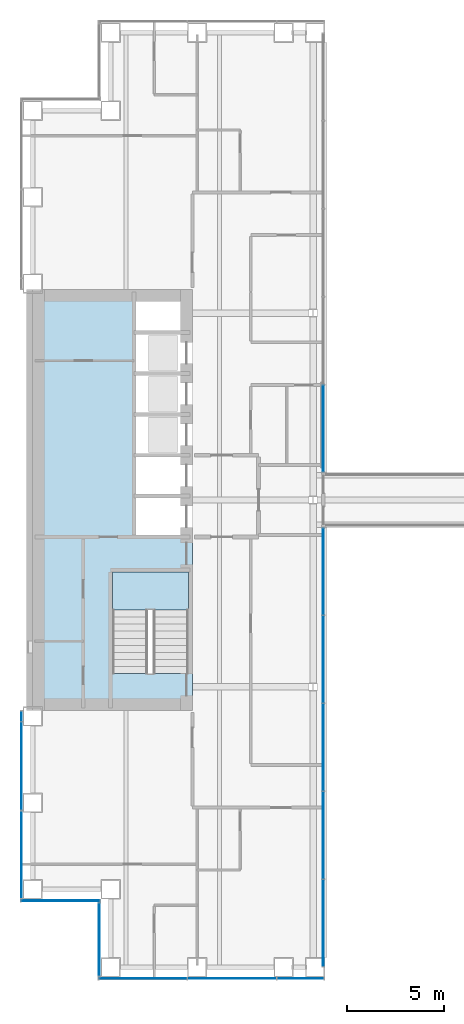
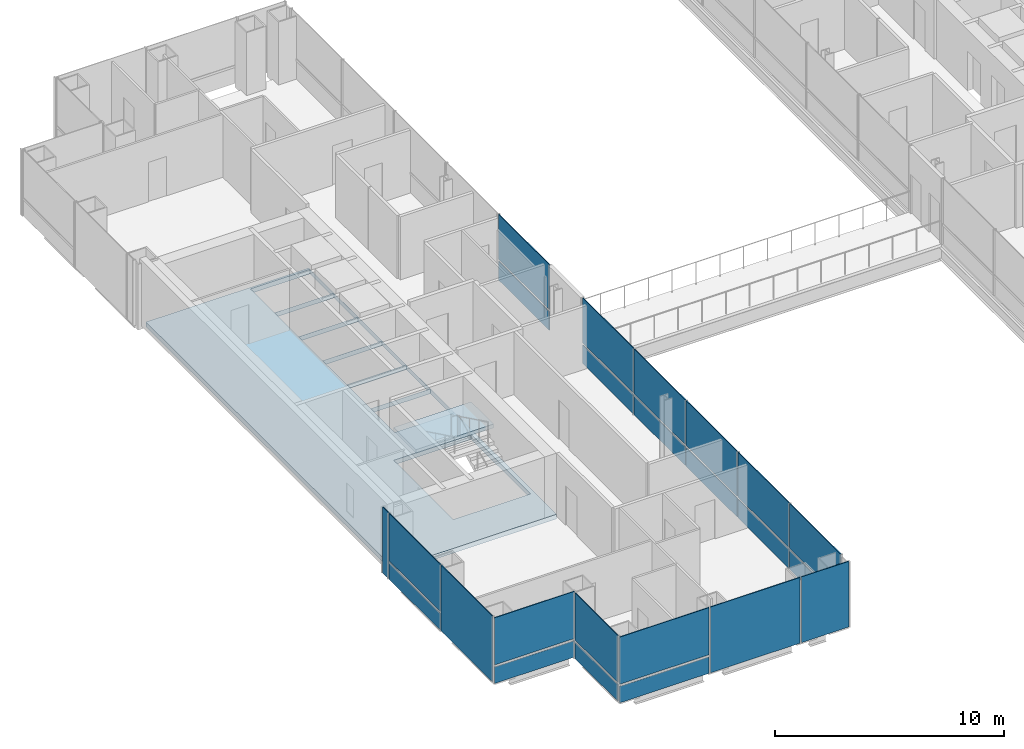
# One storey, part 8 of 18: 24 plates, 2 slabs, 7 elements without a shape of their own.
"""IFC4 building model written with IfcOpenShell, lengths in metres."""

from ifc_helpers import new_model, si_unit, direction, frame, origin, origin_2d, place, context, subcontext, project, spatial, polyline, rectangle, outline, extrude, material, layer, layer_set, type_object, element, aggregate, save


model = new_model("IFC4")

# Units and contexts
model_context = context("Model", 3, precision=1e-05, world=origin(), true_north=direction((0.0, 1.0)))
body_context = subcontext(model_context, "Body", "Model", "MODEL_VIEW")
ifc_project = project(units=[si_unit("LENGTHUNIT", "METRE"), si_unit("AREAUNIT", "SQUARE_METRE"), si_unit("VOLUMEUNIT", "CUBIC_METRE"), si_unit("PLANEANGLEUNIT", "RADIAN"), si_unit("MASSUNIT", "GRAM", prefix="KILO")], contexts=[model_context])

# Site, building, storey
site_placement = place(None, origin())
site = spatial("IfcSite", under=ifc_project, at=site_placement, CompositionType="ELEMENT")
building_placement = place(site_placement, origin())
building = spatial("IfcBuilding", under=site, at=building_placement, Name="Cobrizo Arcos Hotel Tower", CompositionType="ELEMENT")
storey_placement = place(building_placement, frame((0.0, 0.0, 77.5)))
storey = spatial("IfcBuildingStorey", under=building, at=storey_placement, Name="L18", CompositionType="ELEMENT", Elevation=77.5)

# Curtain wall, plate
ifc_material_1 = material(Name="Aluminium 6063-T6 anodised bronze", Category="aluminium")
curtain_wall_type_1 = type_object("IfcCurtainWallType", Name="CW-A guest facade", PredefinedType="NOTDEFINED", material=ifc_material_1)
curtain_wall_1_placement = place(storey_placement, origin())
curtain_wall_1 = element("IfcCurtainWall", 1, at=curtain_wall_1_placement, inside=storey, type_object=curtain_wall_type_1, Name="CW-A L18 S face", PredefinedType="NOTDEFINED")
ifc_material_2 = material(Name="Glass clear laminated low-e", Category="glass")
ifc_layer_1 = layer(ifc_material_2, 0.0400390625)
ifc_layer_set_1 = layer_set([ifc_layer_1], Name="CW-A glass panel")
plate_type_1 = type_object("IfcPlateType", Name="CW-A glass panel", PredefinedType="CURTAIN_PANEL", material=ifc_layer_set_1)
plate_1_placement = place(storey_placement, frame((-18.340576171875, -24.574951171875, 0.990234375), z_axis=(0.0, 0.0, 1.0), x_axis=(1.0, 0.0, 0.0)))
plate_1 = element("IfcPlate", 2, at=plate_1_placement, type_object=plate_type_1, Name="CW-A glass panel 749", PredefinedType="CURTAIN_PANEL", context=body_context, shape_type="SweptSolid", body=[
    extrude(rectangle(XDim=4.498779296875, YDim=0.0400390625, at=origin_2d()), origin(), (0.0, 0.0, 1.0), 2.510009765625),
])

curtain_wall_2_placement = place(storey_placement, origin())
curtain_wall_2 = element("IfcCurtainWall", 3, at=curtain_wall_2_placement, inside=storey, type_object=curtain_wall_type_1, Name="CW-A L18 W face", PredefinedType="NOTDEFINED")
plate_2_placement = place(storey_placement, frame((-24.574951171875, -13.666748046875, 0.990234375), z_axis=(0.0, 0.0, 1.0), x_axis=(0.0, -1.0, 0.0)))
plate_2 = element("IfcPlate", 4, at=plate_2_placement, type_object=plate_type_1, Name="CW-A glass panel 777", PredefinedType="CURTAIN_PANEL", context=body_context, shape_type="SweptSolid", body=[
    extrude(rectangle(XDim=4.49560546875, YDim=0.0400390625, at=origin_2d()), origin(), (0.0, 0.0, 1.0), 2.510009765625),
])

curtain_wall_3_placement = place(storey_placement, origin())
curtain_wall_3 = element("IfcCurtainWall", 5, at=curtain_wall_3_placement, inside=storey, type_object=curtain_wall_type_1, Name="CW-A L18 S face", PredefinedType="NOTDEFINED")
plate_3_placement = place(storey_placement, frame((-22.574951171875, -20.574951171875, 0.990234375), z_axis=(0.0, 0.0, 1.0), x_axis=(1.0, 0.0, 0.0)))
plate_3 = element("IfcPlate", 6, at=plate_3_placement, type_object=plate_type_1, Name="CW-A glass panel 779", PredefinedType="CURTAIN_PANEL", context=body_context, shape_type="SweptSolid", body=[
    extrude(rectangle(XDim=4.030029296875, YDim=0.0400390625, at=origin_2d()), origin(), (0.0, 0.0, 1.0), 2.510009765625),
])

curtain_wall_4_placement = place(storey_placement, origin())
curtain_wall_4 = element("IfcCurtainWall", 7, at=curtain_wall_4_placement, inside=storey, type_object=curtain_wall_type_1, Name="CW-A L18 W face", PredefinedType="NOTDEFINED")
plate_4_placement = place(storey_placement, frame((-20.574951171875, -22.574951171875, 0.990234375), z_axis=(0.0, 0.0, 1.0), x_axis=(0.0, -1.0, 0.0)))
plate_4 = element("IfcPlate", 8, at=plate_4_placement, type_object=plate_type_1, Name="CW-A glass panel 780", PredefinedType="CURTAIN_PANEL", context=body_context, shape_type="SweptSolid", body=[
    extrude(rectangle(XDim=3.72998046875, YDim=0.0400390625, at=origin_2d()), origin(), (0.0, 0.0, 1.0), 2.510009765625),
])

# Plate
ifc_material_3 = material(Name="Aluminium composite panel pale metal", Category="aluminium")
ifc_layer_2 = layer(ifc_material_3, 0.0400390625)
ifc_layer_set_2 = layer_set([ifc_layer_2], Name="CW-A spandrel panel")
plate_type_2 = type_object("IfcPlateType", Name="CW-A spandrel panel", PredefinedType="CURTAIN_PANEL", material=ifc_layer_set_2)
plate_5_placement = place(storey_placement, frame((-18.340576171875, -24.574951171875, 0.0), z_axis=(0.0, 0.0, 1.0), x_axis=(1.0, 0.0, 0.0)))
plate_5 = element("IfcPlate", 9, at=plate_5_placement, type_object=plate_type_2, Name="CW-A spandrel panel 749", PredefinedType="CURTAIN_PANEL", context=body_context, shape_type="SweptSolid", body=[
    extrude(rectangle(XDim=4.498779296875, YDim=0.0400390625, at=origin_2d()), origin(), (0.0, 0.0, 1.0), 0.8701171875),
])

plate_6_placement = place(storey_placement, frame((-13.7666015625, -24.574951171875, 0.0), z_axis=(0.0, 0.0, 1.0), x_axis=(1.0, 0.0, 0.0)))
plate_6 = element("IfcPlate", 10, at=plate_6_placement, type_object=plate_type_2, Name="CW-A spandrel panel 750", PredefinedType="CURTAIN_PANEL", context=body_context, shape_type="SweptSolid", body=[
    extrude(rectangle(XDim=4.52880859375, YDim=0.0400390625, at=origin_2d()), origin(), (0.0, 0.0, 1.0), 3.5),
])

plate_7_placement = place(storey_placement, frame((-10.251220703125, -24.574951171875, 0.0), z_axis=(0.0, 0.0, 1.0), x_axis=(1.0, 0.0, 0.0)))
plate_7 = element("IfcPlate", 11, at=plate_7_placement, type_object=plate_type_2, Name="CW-A spandrel panel 751", PredefinedType="CURTAIN_PANEL", context=body_context, shape_type="SweptSolid", body=[
    extrude(rectangle(XDim=2.38232421875, YDim=0.0400390625, at=origin_2d()), origin(), (0.0, 0.0, 1.0), 3.5),
])

aggregate(curtain_wall_1, [plate_5, plate_1, plate_6, plate_7])

plate_8_placement = place(storey_placement, frame((-24.574951171875, -11.109375, 0.0), z_axis=(0.0, 0.0, 1.0), x_axis=(0.0, -1.0, 0.0)))
plate_8 = element("IfcPlate", 12, at=plate_8_placement, type_object=plate_type_2, Name="CW-A spandrel panel 776", PredefinedType="CURTAIN_PANEL", context=body_context, shape_type="SweptSolid", body=[
    extrude(rectangle(XDim=0.498779296875, YDim=0.0400390625, at=origin_2d()), origin(), (0.0, 0.0, 1.0), 3.5),
])

plate_9_placement = place(storey_placement, frame((-24.574951171875, -13.666748046875, 0.0), z_axis=(0.0, 0.0, 1.0), x_axis=(0.0, -1.0, 0.0)))
plate_9 = element("IfcPlate", 13, at=plate_9_placement, type_object=plate_type_2, Name="CW-A spandrel panel 777", PredefinedType="CURTAIN_PANEL", context=body_context, shape_type="SweptSolid", body=[
    extrude(rectangle(XDim=4.49560546875, YDim=0.0400390625, at=origin_2d()), origin(), (0.0, 0.0, 1.0), 0.8701171875),
])

plate_10_placement = place(storey_placement, frame((-24.574951171875, -18.207275390625, 0.0), z_axis=(0.0, 0.0, 1.0), x_axis=(0.0, -1.0, 0.0)))
plate_10 = element("IfcPlate", 14, at=plate_10_placement, type_object=plate_type_2, Name="CW-A spandrel panel 778", PredefinedType="CURTAIN_PANEL", context=body_context, shape_type="SweptSolid", body=[
    extrude(rectangle(XDim=4.465576171875, YDim=0.0400390625, at=origin_2d()), origin(), (0.0, 0.0, 1.0), 3.5),
])

aggregate(curtain_wall_2, [plate_8, plate_9, plate_2, plate_10])

plate_11_placement = place(storey_placement, frame((-22.574951171875, -20.574951171875, 0.0), z_axis=(0.0, 0.0, 1.0), x_axis=(1.0, 0.0, 0.0)))
plate_11 = element("IfcPlate", 15, at=plate_11_placement, type_object=plate_type_2, Name="CW-A spandrel panel 779", PredefinedType="CURTAIN_PANEL", context=body_context, shape_type="SweptSolid", body=[
    extrude(rectangle(XDim=4.030029296875, YDim=0.0400390625, at=origin_2d()), origin(), (0.0, 0.0, 1.0), 0.8701171875),
])

aggregate(curtain_wall_3, [plate_11, plate_3])

plate_12_placement = place(storey_placement, frame((-20.574951171875, -22.574951171875, 0.0), z_axis=(0.0, 0.0, 1.0), x_axis=(0.0, -1.0, 0.0)))
plate_12 = element("IfcPlate", 16, at=plate_12_placement, type_object=plate_type_2, Name="CW-A spandrel panel 780", PredefinedType="CURTAIN_PANEL", context=body_context, shape_type="SweptSolid", body=[
    extrude(rectangle(XDim=3.72998046875, YDim=0.0400390625, at=origin_2d()), origin(), (0.0, 0.0, 1.0), 0.8701171875),
])

aggregate(curtain_wall_4, [plate_12, plate_4])

# Curtain wall, plates
curtain_wall_type_2 = type_object("IfcCurtainWallType", Name="CW-F void screen", PredefinedType="NOTDEFINED", material=ifc_material_1)
curtain_wall_5_placement = place(storey_placement, origin())
curtain_wall_5 = element("IfcCurtainWall", 17, at=curtain_wall_5_placement, inside=storey, type_object=curtain_wall_type_2, Name="CW-F L18 void screen A", PredefinedType="NOTDEFINED")
ifc_layer_3 = layer(ifc_material_2, 0.0400390625)
ifc_layer_set_3 = layer_set([ifc_layer_3], Name="CW-F glass panel")
plate_type_3 = type_object("IfcPlateType", Name="CW-F glass panel", PredefinedType="CURTAIN_PANEL", material=ifc_layer_set_3)
plate_13_placement = place(storey_placement, frame((-9.074951171875, 3.675048828125, 0.0), z_axis=(0.0, 0.0, 1.0), x_axis=(0.0, -1.0, 0.0)))
plate_13 = element("IfcPlate", 18, at=plate_13_placement, type_object=plate_type_3, Name="CW-F glass panel 2542", PredefinedType="CURTAIN_PANEL", context=body_context, shape_type="SweptSolid", body=[
    extrude(rectangle(XDim=4.429931640625, YDim=0.0400390625, at=origin_2d()), origin(), (0.0, 0.0, 1.0), 0.989990234375),
])
plate_14_placement = place(storey_placement, frame((-9.074951171875, 3.675048828125, 1.10986328125), z_axis=(0.0, 0.0, 1.0), x_axis=(0.0, -1.0, 0.0)))
plate_14 = element("IfcPlate", 19, at=plate_14_placement, type_object=plate_type_3, Name="CW-F glass panel 2542", PredefinedType="CURTAIN_PANEL", context=body_context, shape_type="SweptSolid", body=[
    extrude(rectangle(XDim=4.429931640625, YDim=0.0400390625, at=origin_2d()), origin(), (0.0, 0.0, 1.0), 2.389892578125),
])
aggregate(curtain_wall_5, [plate_13, plate_14])

curtain_wall_6_placement = place(storey_placement, origin())
curtain_wall_6 = element("IfcCurtainWall", 20, at=curtain_wall_6_placement, inside=storey, type_object=curtain_wall_type_2, Name="CW-F L18 void screen A", PredefinedType="NOTDEFINED")
plate_15_placement = place(storey_placement, frame((-9.074951171875, -3.675048828125, 0.0), z_axis=(0.0, 0.0, 1.0), x_axis=(0.0, -1.0, 0.0)))
plate_15 = element("IfcPlate", 21, at=plate_15_placement, type_object=plate_type_3, Name="CW-F glass panel 2543", PredefinedType="CURTAIN_PANEL", context=body_context, shape_type="SweptSolid", body=[
    extrude(rectangle(XDim=4.429931640625, YDim=0.0400390625, at=origin_2d()), origin(), (0.0, 0.0, 1.0), 0.989990234375),
])
plate_16_placement = place(storey_placement, frame((-9.074951171875, -3.675048828125, 1.10986328125), z_axis=(0.0, 0.0, 1.0), x_axis=(0.0, -1.0, 0.0)))
plate_16 = element("IfcPlate", 22, at=plate_16_placement, type_object=plate_type_3, Name="CW-F glass panel 2543", PredefinedType="CURTAIN_PANEL", context=body_context, shape_type="SweptSolid", body=[
    extrude(rectangle(XDim=4.429931640625, YDim=0.0400390625, at=origin_2d()), origin(), (0.0, 0.0, 1.0), 2.389892578125),
])
plate_17_placement = place(storey_placement, frame((-9.074951171875, -8.179931640625, 0.0), z_axis=(0.0, 0.0, 1.0), x_axis=(0.0, -1.0, 0.0)))
plate_17 = element("IfcPlate", 23, at=plate_17_placement, type_object=plate_type_3, Name="CW-F glass panel 2544", PredefinedType="CURTAIN_PANEL", context=body_context, shape_type="SweptSolid", body=[
    extrude(rectangle(XDim=4.4599609375, YDim=0.0400390625, at=origin_2d()), origin(), (0.0, 0.0, 1.0), 0.989990234375),
])
plate_18_placement = place(storey_placement, frame((-9.074951171875, -8.179931640625, 1.10986328125), z_axis=(0.0, 0.0, 1.0), x_axis=(0.0, -1.0, 0.0)))
plate_18 = element("IfcPlate", 24, at=plate_18_placement, type_object=plate_type_3, Name="CW-F glass panel 2544", PredefinedType="CURTAIN_PANEL", context=body_context, shape_type="SweptSolid", body=[
    extrude(rectangle(XDim=4.4599609375, YDim=0.0400390625, at=origin_2d()), origin(), (0.0, 0.0, 1.0), 2.389892578125),
])
plate_19_placement = place(storey_placement, frame((-9.074951171875, -12.699951171875, 0.0), z_axis=(0.0, 0.0, 1.0), x_axis=(0.0, -1.0, 0.0)))
plate_19 = element("IfcPlate", 25, at=plate_19_placement, type_object=plate_type_3, Name="CW-F glass panel 2545", PredefinedType="CURTAIN_PANEL", context=body_context, shape_type="SweptSolid", body=[
    extrude(rectangle(XDim=4.4599609375, YDim=0.0400390625, at=origin_2d()), origin(), (0.0, 0.0, 1.0), 0.989990234375),
])
plate_20_placement = place(storey_placement, frame((-9.074951171875, -12.699951171875, 1.10986328125), z_axis=(0.0, 0.0, 1.0), x_axis=(0.0, -1.0, 0.0)))
plate_20 = element("IfcPlate", 26, at=plate_20_placement, type_object=plate_type_3, Name="CW-F glass panel 2545", PredefinedType="CURTAIN_PANEL", context=body_context, shape_type="SweptSolid", body=[
    extrude(rectangle(XDim=4.4599609375, YDim=0.0400390625, at=origin_2d()), origin(), (0.0, 0.0, 1.0), 2.389892578125),
])
plate_21_placement = place(storey_placement, frame((-9.074951171875, -17.219970703125, 0.0), z_axis=(0.0, 0.0, 1.0), x_axis=(0.0, -1.0, 0.0)))
plate_21 = element("IfcPlate", 27, at=plate_21_placement, type_object=plate_type_3, Name="CW-F glass panel 2546", PredefinedType="CURTAIN_PANEL", context=body_context, shape_type="SweptSolid", body=[
    extrude(rectangle(XDim=4.4599609375, YDim=0.0400390625, at=origin_2d()), origin(), (0.0, 0.0, 1.0), 0.989990234375),
])
plate_22_placement = place(storey_placement, frame((-9.074951171875, -17.219970703125, 1.10986328125), z_axis=(0.0, 0.0, 1.0), x_axis=(0.0, -1.0, 0.0)))
plate_22 = element("IfcPlate", 28, at=plate_22_placement, type_object=plate_type_3, Name="CW-F glass panel 2546", PredefinedType="CURTAIN_PANEL", context=body_context, shape_type="SweptSolid", body=[
    extrude(rectangle(XDim=4.4599609375, YDim=0.0400390625, at=origin_2d()), origin(), (0.0, 0.0, 1.0), 2.389892578125),
])
plate_23_placement = place(storey_placement, frame((-9.074951171875, -21.72509765625, 0.0), z_axis=(0.0, 0.0, 1.0), x_axis=(0.0, -1.0, 0.0)))
plate_23 = element("IfcPlate", 29, at=plate_23_placement, type_object=plate_type_3, Name="CW-F glass panel 2547", PredefinedType="CURTAIN_PANEL", context=body_context, shape_type="SweptSolid", body=[
    extrude(rectangle(XDim=4.429931640625, YDim=0.0400390625, at=origin_2d()), origin(), (0.0, 0.0, 1.0), 0.989990234375),
])
plate_24_placement = place(storey_placement, frame((-9.074951171875, -21.72509765625, 1.10986328125), z_axis=(0.0, 0.0, 1.0), x_axis=(0.0, -1.0, 0.0)))
plate_24 = element("IfcPlate", 30, at=plate_24_placement, type_object=plate_type_3, Name="CW-F glass panel 2547", PredefinedType="CURTAIN_PANEL", context=body_context, shape_type="SweptSolid", body=[
    extrude(rectangle(XDim=4.429931640625, YDim=0.0400390625, at=origin_2d()), origin(), (0.0, 0.0, 1.0), 2.389892578125),
])
aggregate(curtain_wall_6, [plate_15, plate_16, plate_17, plate_18, plate_19, plate_20, plate_21, plate_22, plate_23, plate_24])

# Slab
ifc_material_4 = material(Name="Concrete f'c 60 MPa", Category="concrete")
ifc_layer_4 = layer(ifc_material_4, 0.25)
ifc_layer_set_4 = layer_set([ifc_layer_4], Name="RC core floor slab 250 f'c 60")
slab_type_1 = type_object("IfcSlabType", Name="RC core floor slab 250 f'c 60", PredefinedType="FLOOR", material=ifc_layer_set_4)
slab_1_placement = place(storey_placement, frame((0.0, 0.0, -0.25)))
element("IfcSlab", 31, at=slab_1_placement, inside=storey, type_object=slab_type_1, Name="Core floor slab CS3, west core, L18", PredefinedType="FLOOR", context=body_context, shape_type="SweptSolid", body=[
    extrude(outline(polyline([(-24.0, 10.800048828125), (-15.800048828125, 10.800048828125), (-15.800048828125, -10.800048828125), (-24.0, -10.800048828125), (-24.0, 10.800048828125)]), holes=[polyline([(-19.89794921875, -3.701904296875), (-19.89794921875, -8.89794921875), (-16.001953125, -8.89794921875), (-16.001953125, -3.701904296875), (-19.89794921875, -3.701904296875)]), polyline([(-18.798095703125, 0.197998046875), (-18.798095703125, -1.89794921875), (-15.802001953125, -1.89794921875), (-15.802001953125, 0.197998046875), (-18.798095703125, 0.197998046875)]), polyline([(-15.802001953125, 2.298095703125), (-18.798095703125, 2.298095703125), (-18.798095703125, 0.201904296875), (-15.802001953125, 0.201904296875), (-15.802001953125, 2.298095703125)]), polyline([(-15.802001953125, 4.39794921875), (-18.798095703125, 4.39794921875), (-18.798095703125, 2.302001953125), (-15.802001953125, 2.302001953125), (-15.802001953125, 4.39794921875)]), polyline([(-18.798095703125, 6.498046875), (-18.798095703125, 4.402099609375), (-15.802001953125, 4.402099609375), (-15.802001953125, 6.498046875), (-18.798095703125, 6.498046875)]), polyline([(-15.802001953125, 8.597900390625), (-18.798095703125, 8.597900390625), (-18.798095703125, 6.501953125), (-15.802001953125, 6.501953125), (-15.802001953125, 8.597900390625)]), polyline([(-15.802001953125, 10.697998046875), (-18.798095703125, 10.697998046875), (-18.798095703125, 8.60205078125), (-15.802001953125, 8.60205078125), (-15.802001953125, 10.697998046875)])]), origin(), (0.0, 0.0, 1.0), 0.25),
])

# Stair, slab
ifc_material_5 = material(Name="Concrete f'c 40 MPa", Category="concrete")
stair_type = type_object("IfcStairType", Name="Exit stair", PredefinedType="HALF_TURN_STAIR", material=ifc_material_5)
stair_placement = place(storey_placement, origin())
stair = element("IfcStair", 32, at=stair_placement, inside=storey, type_object=stair_type, Name="L18 Exit stair ST-W", PredefinedType="HALF_TURN_STAIR")
ifc_layer_5 = layer(ifc_material_5, 0.199951171875)
ifc_layer_set_5 = layer_set([ifc_layer_5], Name="Stair landing")
slab_type_2 = type_object("IfcSlabType", Name="Stair landing", PredefinedType="LANDING", material=ifc_layer_set_5)
slab_2_placement = place(storey_placement, frame((0.0, 0.0, 1.550048828125)))
slab_2 = element("IfcSlab", 33, at=slab_2_placement, type_object=slab_type_2, Name="ST-W landing 1", PredefinedType="LANDING", context=body_context, shape_type="SweptSolid", body=[
    extrude(outline(polyline([(-16.0, -5.659912109375), (-16.0, -3.699951171875), (-19.89990234375, -3.699951171875), (-19.89990234375, -5.659912109375), (-16.0, -5.659912109375)])), origin(), (0.0, 0.0, 1.0), 0.199951171875),
])
aggregate(stair, [slab_2])

save(model, "model.ifc")
